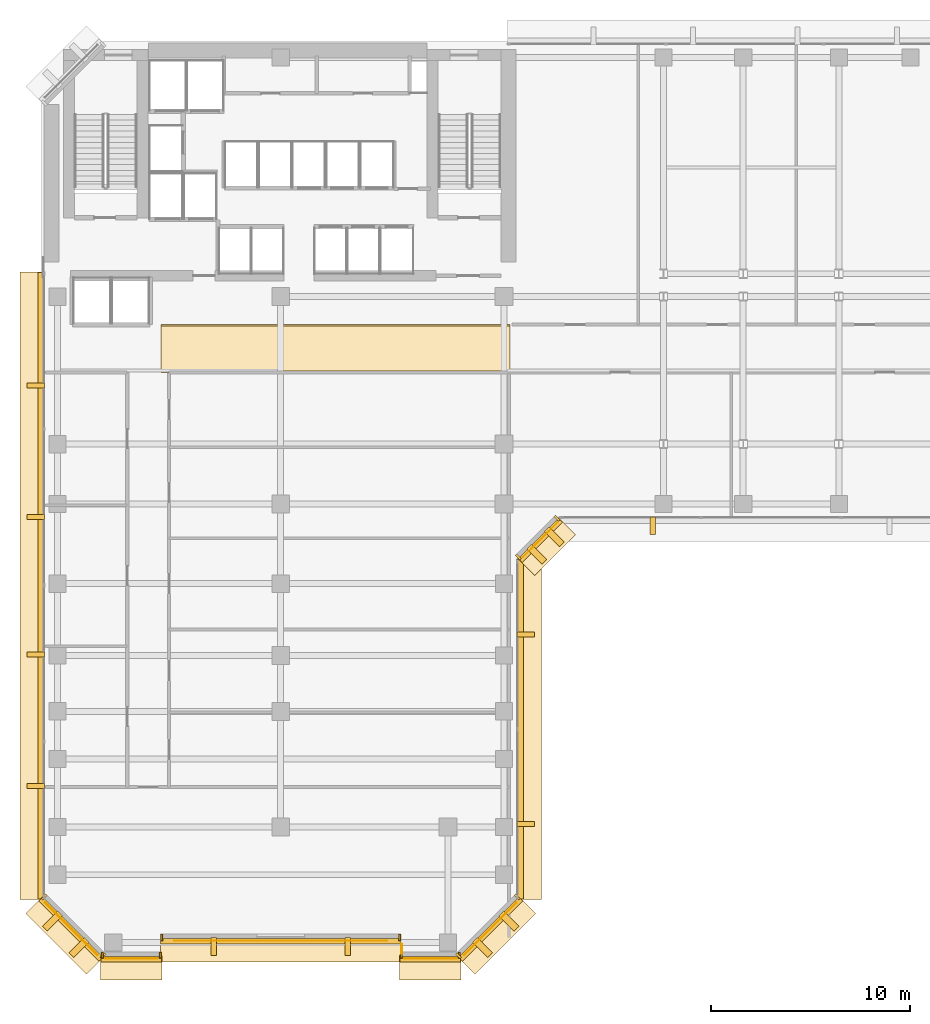
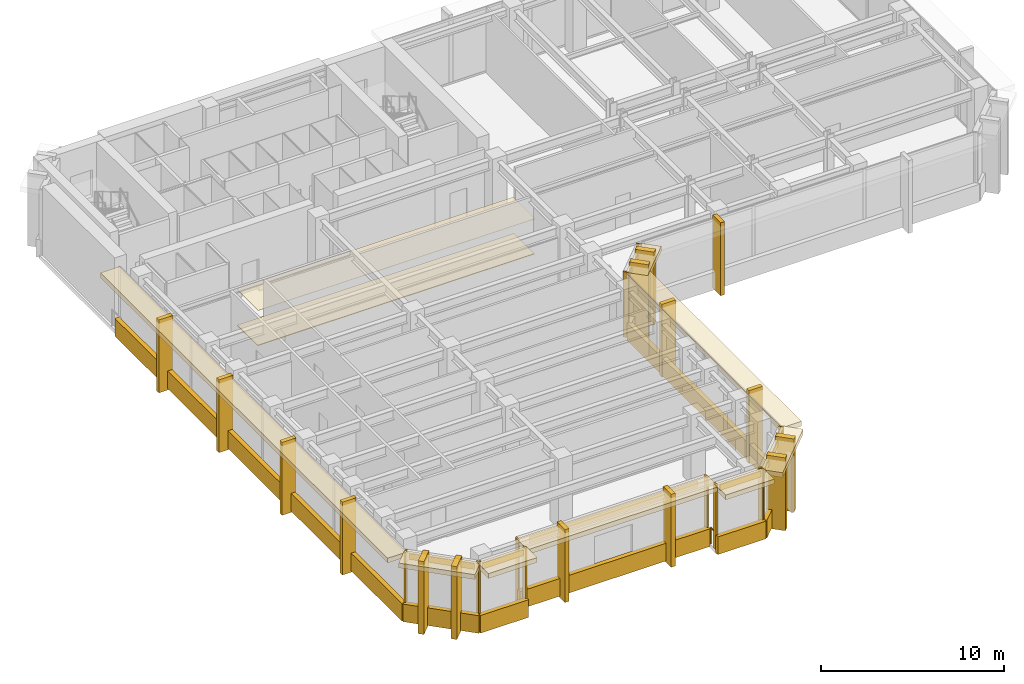
# One storey, part 9 of 13: 51 coverings, 1 railing.
"""IFC4 building model written with IfcOpenShell, lengths in metres."""

from ifc_helpers import new_model, si_unit, direction, frame, origin, origin_2d, place, context, subcontext, project, spatial, polyline, rectangle, circle, outline, extrude, material, layer, layer_set, type_object, element, save


model = new_model("IFC4")

# Units and contexts
model_context = context("Model", 3, precision=1e-05, world=origin(), true_north=direction((0.0, 1.0)))
body_context = subcontext(model_context, "Body", "Model", "MODEL_VIEW")
ifc_project = project(units=[si_unit("LENGTHUNIT", "METRE"), si_unit("AREAUNIT", "SQUARE_METRE"), si_unit("VOLUMEUNIT", "CUBIC_METRE"), si_unit("PLANEANGLEUNIT", "RADIAN"), si_unit("MASSUNIT", "GRAM", prefix="KILO")], contexts=[model_context])

# Site, building, storey
site_placement = place(None, origin())
site = spatial("IfcSite", under=ifc_project, at=site_placement, CompositionType="ELEMENT")
building_placement = place(site_placement, origin())
building = spatial("IfcBuilding", under=site, at=building_placement, Name="Kefirva Bronze Tower", CompositionType="ELEMENT")
storey_placement = place(building_placement, frame((0.0, 0.0, 130.35009765625)))
storey = spatial("IfcBuildingStorey", under=building, at=storey_placement, Name="L31", CompositionType="ELEMENT", Elevation=130.35009765625)

# Coverings
ifc_material_1 = material(Name="Acoustic mineral tile")
ifc_layer_1 = layer(ifc_material_1, 0.02490234375, Name="Acoustic mineral tile")
ifc_layer_set_1 = layer_set([ifc_layer_1], Name="Acoustic mineral tile")
covering_type_1 = type_object("IfcCoveringType", Name="Acoustic Mineral Suspended Ceiling 25mm", PredefinedType="CEILING", material=ifc_layer_set_1)
covering_1_placement = place(storey_placement, frame((0.0, 0.0, 2.39990234375)))
element("IfcCovering", 1, at=covering_1_placement, inside=storey, type_object=covering_type_1, Name="L31 Corridor Acoustic Ceiling", PredefinedType="CEILING", context=body_context, shape_type="SweptSolid", body=[
    extrude(outline(polyline([(6.0, 29.39990234375), (23.5, 29.39990234375), (23.5, 31.800048828125), (6.0, 31.800048828125), (6.0, 29.39990234375)])), origin(), (0.0, 0.0, 1.0), 0.02490234375),
])
ifc_material_2 = material(Name="Bronze anodised aluminium", Category="aluminium")
ifc_layer_2 = layer(ifc_material_2, 0.02001953125, Name="Bronze anodised aluminium")
ifc_layer_set_2 = layer_set([ifc_layer_2], Name="Bronze anodised aluminium")
covering_type_2 = type_object("IfcCoveringType", Name="Anodised Bronze Spandrel Cladding 20mm", PredefinedType="CLADDING", material=ifc_layer_set_2)
covering_2_placement = place(storey_placement, frame((4.5, -0.010009765625, 3.949951171875), z_axis=(0.0, 0.0, 1.0), x_axis=(1.0, 0.0, 0.0)))
element("IfcCovering", 2, at=covering_2_placement, inside=storey, type_object=covering_type_2, Name="L31 Bronze Spandrel Cladding 1", PredefinedType="CLADDING", context=body_context, shape_type="SweptSolid", body=[
    extrude(rectangle(XDim=2.60107421875, YDim=0.02001953125, at=origin_2d()), origin(), (0.0, 0.0, 1.0), 0.39990234375),
])
for number, where, z_axis, x_axis, name in (
    (3, (3.034912109375, 0.159912109375, -0.000244140625), (0.0, 0.0, 1.0), (1.0, 0.0, 0.0), "L31 Facade Joint Closure Panel 1S"),
    (4, (5.965087890625, 0.159912109375, -0.000244140625), (0.0, 0.0, 1.0), (1.0, 0.0, 0.0), "L31 Facade Joint Closure Panel 1E"),
):
    element("IfcCovering", number, at=place(storey_placement, frame(where, z_axis=z_axis, x_axis=x_axis)), inside=storey, type_object=covering_type_2, Name=name, PredefinedType="CLADDING", context=body_context, shape_type="SweptSolid", body=[
        extrude(rectangle(XDim=0.10009765625, YDim=0.320068359375, at=origin_2d()), origin(), (0.0, 0.0, 1.0), 4.3701171875),
    ])
covering_3_placement = place(storey_placement, frame((4.5, -0.0400390625, -0.16015625), z_axis=(0.0, 0.0, 1.0), x_axis=(1.0, 0.0, 0.0)))
element("IfcCovering", 5, at=covering_3_placement, inside=storey, type_object=covering_type_2, Name="L31 Streamline Horizontal Spandrel Band 0", PredefinedType="CLADDING", context=body_context, shape_type="SweptSolid", body=[
    extrude(rectangle(XDim=3.0400390625, YDim=0.280029296875, at=origin_2d()), origin(), (0.0, 0.0, 1.0), 1.179931640625),
])
covering_4_placement = place(storey_placement, frame((12.0, 0.889892578125, 3.949951171875), z_axis=(0.0, 0.0, 1.0), x_axis=(1.0, 0.0, 0.0)))
element("IfcCovering", 6, at=covering_4_placement, inside=storey, type_object=covering_type_2, Name="L31 Bronze Spandrel Cladding 2", PredefinedType="CLADDING", context=body_context, shape_type="SweptSolid", body=[
    extrude(rectangle(XDim=10.700927734375, YDim=0.02001953125, at=origin_2d()), origin(), (0.0, 0.0, 1.0), 0.39990234375),
])
for number, where, z_axis, x_axis, name in (
    (7, (6.034912109375, 1.06005859375, -0.000244140625), (0.0, 0.0, 1.0), (1.0, 0.0, 0.0), "L31 Facade Joint Closure Panel 2S"),
    (8, (17.965087890625, 1.06005859375, -0.000244140625), (0.0, 0.0, 1.0), (1.0, 0.0, 0.0), "L31 Facade Joint Closure Panel 2E"),
):
    element("IfcCovering", number, at=place(storey_placement, frame(where, z_axis=z_axis, x_axis=x_axis)), inside=storey, type_object=covering_type_2, Name=name, PredefinedType="CLADDING", context=body_context, shape_type="SweptSolid", body=[
        extrude(rectangle(XDim=0.10009765625, YDim=0.320068359375, at=origin_2d()), origin(), (0.0, 0.0, 1.0), 4.3701171875),
    ])
covering_5_placement = place(storey_placement, frame((12.0, 0.860107421875, -0.16015625), z_axis=(0.0, 0.0, 1.0), x_axis=(1.0, 0.0, 0.0)))
element("IfcCovering", 9, at=covering_5_placement, inside=storey, type_object=covering_type_2, Name="L31 Streamline Horizontal Spandrel Band 2", PredefinedType="CLADDING", context=body_context, shape_type="SweptSolid", body=[
    extrude(rectangle(XDim=12.0400390625, YDim=0.280029296875, at=origin_2d()), origin(), (0.0, 0.0, 1.0), 1.179931640625),
])
covering_6_placement = place(storey_placement, frame((19.5, -0.010009765625, 3.949951171875), z_axis=(0.0, 0.0, 1.0), x_axis=(1.0, 0.0, 0.0)))
element("IfcCovering", 10, at=covering_6_placement, inside=storey, type_object=covering_type_2, Name="L31 Bronze Spandrel Cladding 3", PredefinedType="CLADDING", context=body_context, shape_type="SweptSolid", body=[
    extrude(rectangle(XDim=2.60107421875, YDim=0.02001953125, at=origin_2d()), origin(), (0.0, 0.0, 1.0), 0.39990234375),
])
for number, where, z_axis, x_axis, name in (
    (11, (18.034912109375, 0.159912109375, -0.000244140625), (0.0, 0.0, 1.0), (1.0, 0.0, 0.0), "L31 Facade Joint Closure Panel 3S"),
    (12, (20.965087890625, 0.159912109375, -0.000244140625), (0.0, 0.0, 1.0), (1.0, 0.0, 0.0), "L31 Facade Joint Closure Panel 3E"),
):
    element("IfcCovering", number, at=place(storey_placement, frame(where, z_axis=z_axis, x_axis=x_axis)), inside=storey, type_object=covering_type_2, Name=name, PredefinedType="CLADDING", context=body_context, shape_type="SweptSolid", body=[
        extrude(rectangle(XDim=0.10009765625, YDim=0.320068359375, at=origin_2d()), origin(), (0.0, 0.0, 1.0), 4.3701171875),
    ])
covering_7_placement = place(storey_placement, frame((19.5, -0.0400390625, -0.16015625), z_axis=(0.0, 0.0, 1.0), x_axis=(1.0, 0.0, 0.0)))
element("IfcCovering", 13, at=covering_7_placement, inside=storey, type_object=covering_type_2, Name="L31 Streamline Horizontal Spandrel Band 4", PredefinedType="CLADDING", context=body_context, shape_type="SweptSolid", body=[
    extrude(rectangle(XDim=3.0400390625, YDim=0.280029296875, at=origin_2d()), origin(), (0.0, 0.0, 1.0), 1.179931640625),
])
covering_8_placement = place(storey_placement, frame((22.507080078125, 1.492919921875, 3.949951171875), z_axis=(0.0, 0.0, 1.0), x_axis=(0.707106781187, 0.707106781187, 0.0)))
element("IfcCovering", 14, at=covering_8_placement, inside=storey, type_object=covering_type_2, Name="L31 Bronze Spandrel Cladding 4", PredefinedType="CLADDING", context=body_context, shape_type="SweptSolid", body=[
    extrude(rectangle(XDim=3.719482421875, YDim=0.02001953125, at=origin_2d()), origin(), (0.0, 0.0, 1.0), 0.39990234375),
])
for number, where, z_axis, x_axis, name in (
    (15, (20.91162109375, 0.137939453125, -0.000244140625), (0.0, 0.0, 1.0), (0.707106781187, 0.707106781187, 0.0), "L31 Facade Joint Closure Panel 4S"),
    (16, (23.862060546875, 3.08837890625, -0.000244140625), (0.0, 0.0, 1.0), (0.707106781187, 0.707106781187, 0.0), "L31 Facade Joint Closure Panel 4E"),
):
    element("IfcCovering", number, at=place(storey_placement, frame(where, z_axis=z_axis, x_axis=x_axis)), inside=storey, type_object=covering_type_2, Name=name, PredefinedType="CLADDING", context=body_context, shape_type="SweptSolid", body=[
        extrude(rectangle(XDim=0.10009765625, YDim=0.320068359375, at=origin_2d()), origin(), (0.0, 0.0, 1.0), 4.3701171875),
    ])
covering_9_placement = place(storey_placement, frame((22.5283203125, 1.4716796875, -0.16015625), z_axis=(0.0, 0.0, 1.0), x_axis=(0.707106781187, 0.707106781187, 0.0)))
element("IfcCovering", 17, at=covering_9_placement, inside=storey, type_object=covering_type_2, Name="L31 Streamline Horizontal Spandrel Band 5", PredefinedType="CLADDING", context=body_context, shape_type="SweptSolid", body=[
    extrude(rectangle(XDim=4.28271484375, YDim=0.280029296875, at=origin_2d()), origin(), (0.0, 0.0, 1.0), 1.179931640625),
])
covering_10_placement = place(storey_placement, frame((24.0400390625, 11.5, -0.16015625), z_axis=(0.0, 0.0, 1.0), x_axis=(0.0, 1.0, 0.0)))
element("IfcCovering", 18, at=covering_10_placement, inside=storey, type_object=covering_type_2, Name="L31 Streamline Horizontal Spandrel Band 6", PredefinedType="CLADDING", context=body_context, shape_type="SweptSolid", body=[
    extrude(rectangle(XDim=17.0400390625, YDim=0.280029296875, at=origin_2d()), origin(), (0.0, 0.0, 1.0), 1.179931640625),
])
covering_11_placement = place(storey_placement, frame((25.007080078125, 20.992919921875, 3.949951171875), z_axis=(0.0, 0.0, 1.0), x_axis=(0.707106781187, 0.707106781187, 0.0)))
element("IfcCovering", 19, at=covering_11_placement, inside=storey, type_object=covering_type_2, Name="L31 Bronze Spandrel Cladding 5", PredefinedType="CLADDING", context=body_context, shape_type="SweptSolid", body=[
    extrude(rectangle(XDim=2.446533203125, YDim=0.02001953125, at=origin_2d()), origin(), (0.0, 0.0, 1.0), 0.39990234375),
])
for number, where, z_axis, x_axis, name in (
    (20, (23.91162109375, 20.137939453125, -0.000244140625), (0.0, 0.0, 1.0), (0.707106781187, 0.707106781187, 0.0), "L31 Facade Joint Closure Panel 5S"),
    (21, (25.862060546875, 22.08837890625, -0.000244140625), (0.0, 0.0, 1.0), (0.707106781187, 0.707106781187, 0.0), "L31 Facade Joint Closure Panel 5E"),
):
    element("IfcCovering", number, at=place(storey_placement, frame(where, z_axis=z_axis, x_axis=x_axis)), inside=storey, type_object=covering_type_2, Name=name, PredefinedType="CLADDING", context=body_context, shape_type="SweptSolid", body=[
        extrude(rectangle(XDim=0.10009765625, YDim=0.320068359375, at=origin_2d()), origin(), (0.0, 0.0, 1.0), 4.3701171875),
    ])
covering_12_placement = place(storey_placement, frame((25.0283203125, 20.9716796875, -0.16015625), z_axis=(0.0, 0.0, 1.0), x_axis=(0.707106781187, 0.707106781187, 0.0)))
element("IfcCovering", 22, at=covering_12_placement, inside=storey, type_object=covering_type_2, Name="L31 Streamline Horizontal Spandrel Band 7", PredefinedType="CLADDING", context=body_context, shape_type="SweptSolid", body=[
    extrude(rectangle(XDim=2.868408203125, YDim=0.280029296875, at=origin_2d()), origin(), (0.0, 0.0, 1.0), 1.179931640625),
])
covering_13_placement = place(storey_placement, frame((-0.0400390625, 18.697509765625, -0.16015625), z_axis=(0.0, 0.0, 1.0), x_axis=(0.0, -1.0, 0.0)))
element("IfcCovering", 23, at=covering_13_placement, inside=storey, type_object=covering_type_2, Name="L31 Streamline Horizontal Spandrel Band 14", PredefinedType="CLADDING", context=body_context, shape_type="SweptSolid", body=[
    extrude(rectangle(XDim=31.43505859375, YDim=0.280029296875, at=origin_2d()), origin(), (0.0, 0.0, 1.0), 1.179931640625),
])
covering_14_placement = place(storey_placement, frame((1.492919921875, 1.492919921875, 3.949951171875), z_axis=(0.0, 0.0, 1.0), x_axis=(0.707106781187, -0.707106781187, 0.0)))
element("IfcCovering", 24, at=covering_14_placement, inside=storey, type_object=covering_type_2, Name="L31 Bronze Spandrel Cladding 9", PredefinedType="CLADDING", context=body_context, shape_type="SweptSolid", body=[
    extrude(rectangle(XDim=3.719482421875, YDim=0.02001953125, at=origin_2d()), origin(), (0.0, 0.0, 1.0), 0.39990234375),
])
for number, where, z_axis, x_axis, name in (
    (25, (0.137939453125, 3.08837890625, -0.000244140625), (0.0, 0.0, 1.0), (0.707106781187, -0.707106781187, 0.0), "L31 Facade Joint Closure Panel 9S"),
    (26, (3.08837890625, 0.137939453125, -0.000244140625), (0.0, 0.0, 1.0), (0.707106781187, -0.707106781187, 0.0), "L31 Facade Joint Closure Panel 9E"),
):
    element("IfcCovering", number, at=place(storey_placement, frame(where, z_axis=z_axis, x_axis=x_axis)), inside=storey, type_object=covering_type_2, Name=name, PredefinedType="CLADDING", context=body_context, shape_type="SweptSolid", body=[
        extrude(rectangle(XDim=0.10009765625, YDim=0.320068359375, at=origin_2d()), origin(), (0.0, 0.0, 1.0), 4.3701171875),
    ])
covering_15_placement = place(storey_placement, frame((1.4716796875, 1.4716796875, -0.16015625), z_axis=(0.0, 0.0, 1.0), x_axis=(0.707106781187, -0.707106781187, 0.0)))
element("IfcCovering", 27, at=covering_15_placement, inside=storey, type_object=covering_type_2, Name="L31 Streamline Horizontal Spandrel Band 15", PredefinedType="CLADDING", context=body_context, shape_type="SweptSolid", body=[
    extrude(rectangle(XDim=4.28271484375, YDim=0.280029296875, at=origin_2d()), origin(), (0.0, 0.0, 1.0), 1.179931640625),
])

# Railing
ifc_material_3 = material(Name="Stainless steel 316", Category="steel")
railing_type = type_object("IfcRailingType", Name="Interior Stair Guardrail 1100mm", PredefinedType="GUARDRAIL", material=ifc_material_3)
railing_placement = place(storey_placement, frame((18.06005859375, 0.25, 0.0)))
element("IfcRailing", 28, at=railing_placement, inside=storey, type_object=railing_type, Name="L31 Setback Corner Guardrail SB1", PredefinedType="GUARDRAIL", context=body_context, shape_type="SweptSolid", body=[
    extrude(circle(Radius=0.02392578125, at=origin_2d()), frame((0.0, 0.0, 1.076171875), z_axis=(0.0, 1.0, 0.0), x_axis=(-1.0, 0.0, 0.0)), (0.0, 0.0, 1.0), 0.469970703125),
    extrude(circle(Radius=0.02099609375, at=origin_2d()), origin(), (0.0, 0.0, 1.0), 1.052001953125),
    extrude(circle(Radius=0.02099609375, at=origin_2d()), frame((0.0, 0.469970703125, 0.0)), (0.0, 0.0, 1.0), 1.052001953125),
])

# Coverings
ifc_material_4 = material(Name="Calcium sulphate access tile")
ifc_layer_3 = layer(ifc_material_4, 0.044921875, Name="Calcium sulphate access tile")
ifc_layer_set_3 = layer_set([ifc_layer_3], Name="Calcium sulphate access tile")
covering_type_3 = type_object("IfcCoveringType", Name="Raised Access Office Flooring 45mm", PredefinedType="FLOORING", material=ifc_layer_set_3)
covering_16_placement = place(storey_placement, origin())
element("IfcCovering", 29, at=covering_16_placement, inside=storey, type_object=covering_type_3, Name="L31 Architectural Finish Flooring", PredefinedType="FLOORING", context=body_context, shape_type="SweptSolid", body=[
    extrude(outline(polyline([(6.0, 29.47998046875), (23.5, 29.47998046875), (23.5, 31.719970703125), (6.0, 31.719970703125), (6.0, 29.47998046875)])), origin(), (0.0, 0.0, 1.0), 0.044921875),
])
ifc_layer_4 = layer(ifc_material_2, 0.179931640625, Name="Bronze anodised aluminium")
ifc_layer_set_4 = layer_set([ifc_layer_4], Name="Bronze anodised aluminium")
covering_type_4 = type_object("IfcCoveringType", Name="Streamline Bronze Sunshade Eyebrow Cladding 180mm", PredefinedType="CLADDING", material=ifc_layer_set_4)
covering_17_placement = place(storey_placement, frame((4.5, -0.4599609375, 4.0498046875), z_axis=(0.0, 0.0, 1.0), x_axis=(1.0, 0.0, 0.0)))
element("IfcCovering", 30, at=covering_17_placement, inside=storey, type_object=covering_type_4, Name="L31 Streamline Bronze Sunshade Eyebrow 0", PredefinedType="CLADDING", context=body_context, shape_type="SweptSolid", body=[
    extrude(rectangle(XDim=3.080078125, YDim=1.239990234375, at=origin_2d()), origin(), (0.0, 0.0, 1.0), 0.320068359375),
])
covering_18_placement = place(storey_placement, frame((12.0, 0.43994140625, 4.0498046875), z_axis=(0.0, 0.0, 1.0), x_axis=(1.0, 0.0, 0.0)))
element("IfcCovering", 31, at=covering_18_placement, inside=storey, type_object=covering_type_4, Name="L31 Streamline Bronze Sunshade Eyebrow 2", PredefinedType="CLADDING", context=body_context, shape_type="SweptSolid", body=[
    extrude(rectangle(XDim=12.080078125, YDim=1.239990234375, at=origin_2d()), origin(), (0.0, 0.0, 1.0), 0.320068359375),
])
covering_19_placement = place(storey_placement, frame((19.5, -0.4599609375, 4.0498046875), z_axis=(0.0, 0.0, 1.0), x_axis=(1.0, 0.0, 0.0)))
element("IfcCovering", 32, at=covering_19_placement, inside=storey, type_object=covering_type_4, Name="L31 Streamline Bronze Sunshade Eyebrow 4", PredefinedType="CLADDING", context=body_context, shape_type="SweptSolid", body=[
    extrude(rectangle(XDim=3.080078125, YDim=1.239990234375, at=origin_2d()), origin(), (0.0, 0.0, 1.0), 0.320068359375),
])
covering_20_placement = place(storey_placement, frame((22.8251953125, 1.1748046875, 4.0498046875), z_axis=(0.0, 0.0, 1.0), x_axis=(0.707106781187, 0.707106781187, 0.0)))
element("IfcCovering", 33, at=covering_20_placement, inside=storey, type_object=covering_type_4, Name="L31 Streamline Bronze Sunshade Eyebrow 5", PredefinedType="CLADDING", context=body_context, shape_type="SweptSolid", body=[
    extrude(rectangle(XDim=4.322509765625, YDim=1.239990234375, at=origin_2d()), origin(), (0.0, 0.0, 1.0), 0.320068359375),
])
covering_21_placement = place(storey_placement, frame((24.4599609375, 11.5, 4.0498046875), z_axis=(0.0, 0.0, 1.0), x_axis=(0.0, 1.0, 0.0)))
element("IfcCovering", 34, at=covering_21_placement, inside=storey, type_object=covering_type_4, Name="L31 Streamline Bronze Sunshade Eyebrow 6", PredefinedType="CLADDING", context=body_context, shape_type="SweptSolid", body=[
    extrude(rectangle(XDim=17.080078125, YDim=1.239990234375, at=origin_2d()), origin(), (0.0, 0.0, 1.0), 0.320068359375),
])
covering_22_placement = place(storey_placement, frame((25.3251953125, 20.6748046875, 4.0498046875), z_axis=(0.0, 0.0, 1.0), x_axis=(0.707106781187, 0.707106781187, 0.0)))
element("IfcCovering", 35, at=covering_22_placement, inside=storey, type_object=covering_type_4, Name="L31 Streamline Bronze Sunshade Eyebrow 7", PredefinedType="CLADDING", context=body_context, shape_type="SweptSolid", body=[
    extrude(rectangle(XDim=2.908447265625, YDim=1.239990234375, at=origin_2d()), origin(), (0.0, 0.0, 1.0), 0.320068359375),
])
covering_23_placement = place(storey_placement, frame((-0.4599609375, 18.697509765625, 4.0498046875), z_axis=(0.0, 0.0, 1.0), x_axis=(0.0, -1.0, 0.0)))
element("IfcCovering", 36, at=covering_23_placement, inside=storey, type_object=covering_type_4, Name="L31 Streamline Bronze Sunshade Eyebrow 14", PredefinedType="CLADDING", context=body_context, shape_type="SweptSolid", body=[
    extrude(rectangle(XDim=31.47509765625, YDim=1.239990234375, at=origin_2d()), origin(), (0.0, 0.0, 1.0), 0.320068359375),
])
covering_24_placement = place(storey_placement, frame((1.1748046875, 1.1748046875, 4.0498046875), z_axis=(0.0, 0.0, 1.0), x_axis=(0.707106781187, -0.707106781187, 0.0)))
element("IfcCovering", 37, at=covering_24_placement, inside=storey, type_object=covering_type_4, Name="L31 Streamline Bronze Sunshade Eyebrow 15", PredefinedType="CLADDING", context=body_context, shape_type="SweptSolid", body=[
    extrude(rectangle(XDim=4.322509765625, YDim=1.239990234375, at=origin_2d()), origin(), (0.0, 0.0, 1.0), 0.320068359375),
])
ifc_layer_5 = layer(ifc_material_2, 0.260009765625, Name="Bronze anodised aluminium")
ifc_layer_set_5 = layer_set([ifc_layer_5], Name="Bronze anodised aluminium")
covering_type_5 = type_object("IfcCoveringType", Name="Unbroken Bronze Buttress Fin Cladding 260mm", PredefinedType="CLADDING", material=ifc_layer_set_5)
for number, where, z_axis, x_axis, name in (
    (38, (8.639892578125, 0.60009765625, -0.250244140625), (0.0, 0.0, 1.0), (1.0, 0.0, 0.0), "L31 Unbroken Vertical Bronze Rib Fin 1"),
    (39, (15.360107421875, 0.60009765625, -0.250244140625), (0.0, 0.0, 1.0), (1.0, 0.0, 0.0), "L31 Unbroken Vertical Bronze Rib Fin 2"),
):
    element("IfcCovering", number, at=place(storey_placement, frame(where, z_axis=z_axis, x_axis=x_axis)), inside=storey, type_object=covering_type_5, Name=name, PredefinedType="CLADDING", context=body_context, shape_type="SweptSolid", body=[
        extrude(rectangle(XDim=0.260009765625, YDim=0.8798828125, at=origin_2d()), origin(), (0.0, 0.0, 1.0), 4.8701171875),
    ])
for number, where, z_axis, x_axis, name in (
    (40, (22.122802734375, 0.55712890625, -0.250244140625), (0.0, 0.0, 1.0), (0.707106781187, 0.707106781187, 0.0), "L31 Chamfered Corner Buttress Fin Cladding 3"),
    (41, (23.44287109375, 1.877197265625, -0.250244140625), (0.0, 0.0, 1.0), (0.707106781187, 0.707106781187, 0.0), "L31 Chamfered Corner Buttress Fin Cladding 4"),
):
    element("IfcCovering", number, at=place(storey_placement, frame(where, z_axis=z_axis, x_axis=x_axis)), inside=storey, type_object=covering_type_5, Name=name, PredefinedType="CLADDING", context=body_context, shape_type="SweptSolid", body=[
        extrude(rectangle(XDim=0.340087890625, YDim=1.080078125, at=origin_2d()), origin(), (0.0, 0.0, 1.0), 4.8701171875),
    ])
for number, where, z_axis, x_axis, name in (
    (42, (24.300048828125, 6.739990234375, -0.250244140625), (0.0, 0.0, 1.0), (0.0, 1.0, 0.0), "L31 Unbroken Vertical Bronze Rib Fin 5"),
    (43, (24.300048828125, 16.260009765625, -0.250244140625), (0.0, 0.0, 1.0), (0.0, 1.0, 0.0), "L31 Unbroken Vertical Bronze Rib Fin 6"),
):
    element("IfcCovering", number, at=place(storey_placement, frame(where, z_axis=z_axis, x_axis=x_axis)), inside=storey, type_object=covering_type_5, Name=name, PredefinedType="CLADDING", context=body_context, shape_type="SweptSolid", body=[
        extrude(rectangle(XDim=0.260009765625, YDim=0.8798828125, at=origin_2d()), origin(), (0.0, 0.0, 1.0), 4.8701171875),
    ])
for number, where, z_axis, x_axis, name in (
    (44, (24.8427734375, 20.277099609375, -0.250244140625), (0.0, 0.0, 1.0), (0.707106781187, 0.707106781187, 0.0), "L31 Chamfered Corner Buttress Fin Cladding 7"),
    (45, (25.722900390625, 21.1572265625, -0.250244140625), (0.0, 0.0, 1.0), (0.707106781187, 0.707106781187, 0.0), "L31 Chamfered Corner Buttress Fin Cladding 8"),
):
    element("IfcCovering", number, at=place(storey_placement, frame(where, z_axis=z_axis, x_axis=x_axis)), inside=storey, type_object=covering_type_5, Name=name, PredefinedType="CLADDING", context=body_context, shape_type="SweptSolid", body=[
        extrude(rectangle(XDim=0.340087890625, YDim=1.080078125, at=origin_2d()), origin(), (0.0, 0.0, 1.0), 4.8701171875),
    ])
for number, where, z_axis, x_axis, name in (
    (46, (30.6640625, 21.699951171875, -0.250244140625), (0.0, 0.0, 1.0), (1.0, 0.0, 0.0), "L31 Unbroken Vertical Bronze Rib Fin 9"),
    (47, (-0.300048828125, 28.743896484375, -0.250244140625), (0.0, 0.0, 1.0), (0.0, -1.0, 0.0), "L31 Unbroken Vertical Bronze Rib Fin 23"),
    (48, (-0.300048828125, 22.15087890625, -0.250244140625), (0.0, 0.0, 1.0), (0.0, -1.0, 0.0), "L31 Unbroken Vertical Bronze Rib Fin 24"),
    (49, (-0.300048828125, 15.244140625, -0.250244140625), (0.0, 0.0, 1.0), (0.0, -1.0, 0.0), "L31 Unbroken Vertical Bronze Rib Fin 25"),
    (50, (-0.300048828125, 8.651123046875, -0.250244140625), (0.0, 0.0, 1.0), (0.0, -1.0, 0.0), "L31 Unbroken Vertical Bronze Rib Fin 26"),
):
    element("IfcCovering", number, at=place(storey_placement, frame(where, z_axis=z_axis, x_axis=x_axis)), inside=storey, type_object=covering_type_5, Name=name, PredefinedType="CLADDING", context=body_context, shape_type="SweptSolid", body=[
        extrude(rectangle(XDim=0.260009765625, YDim=0.8798828125, at=origin_2d()), origin(), (0.0, 0.0, 1.0), 4.8701171875),
    ])
for number, where, z_axis, x_axis, name in (
    (51, (0.55712890625, 1.877197265625, -0.250244140625), (0.0, 0.0, 1.0), (0.707106781187, -0.707106781187, 0.0), "L31 Chamfered Corner Buttress Fin Cladding 27"),
    (52, (1.877197265625, 0.55712890625, -0.250244140625), (0.0, 0.0, 1.0), (0.707106781187, -0.707106781187, 0.0), "L31 Chamfered Corner Buttress Fin Cladding 28"),
):
    element("IfcCovering", number, at=place(storey_placement, frame(where, z_axis=z_axis, x_axis=x_axis)), inside=storey, type_object=covering_type_5, Name=name, PredefinedType="CLADDING", context=body_context, shape_type="SweptSolid", body=[
        extrude(rectangle(XDim=0.340087890625, YDim=1.080078125, at=origin_2d()), origin(), (0.0, 0.0, 1.0), 4.8701171875),
    ])

save(model, "model.ifc")
